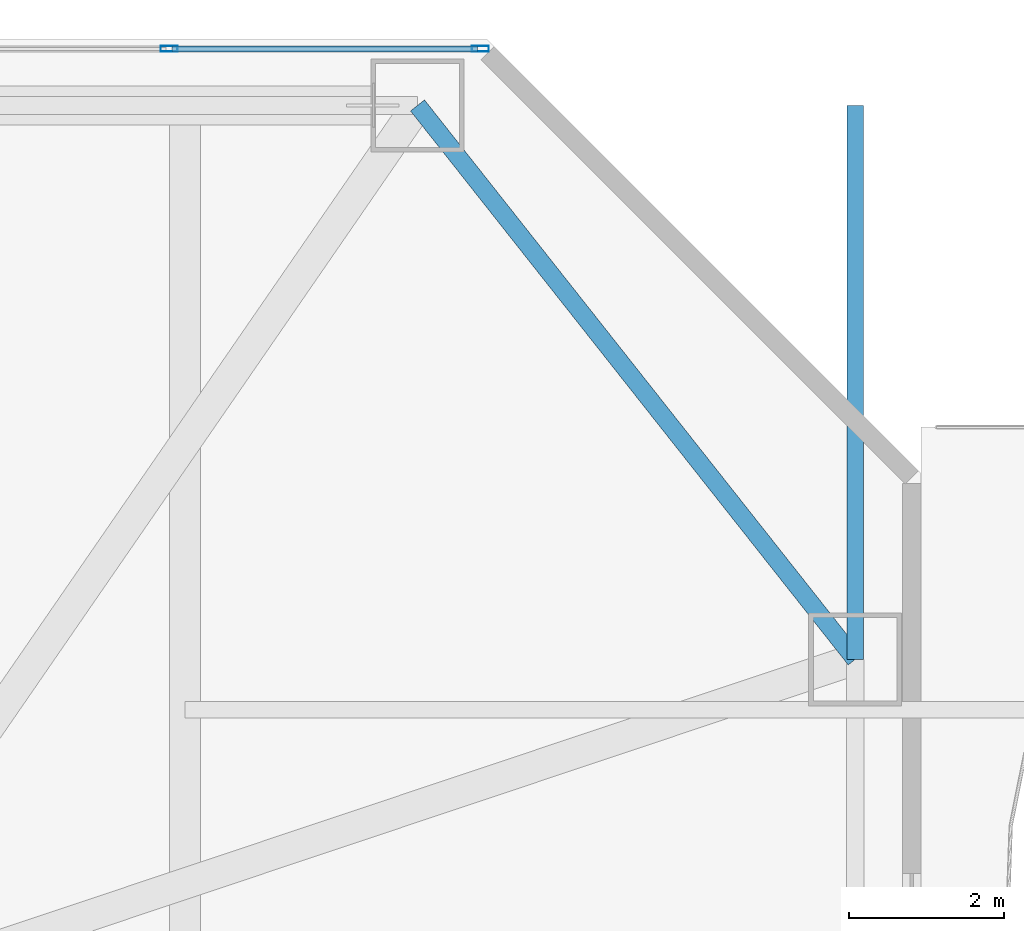
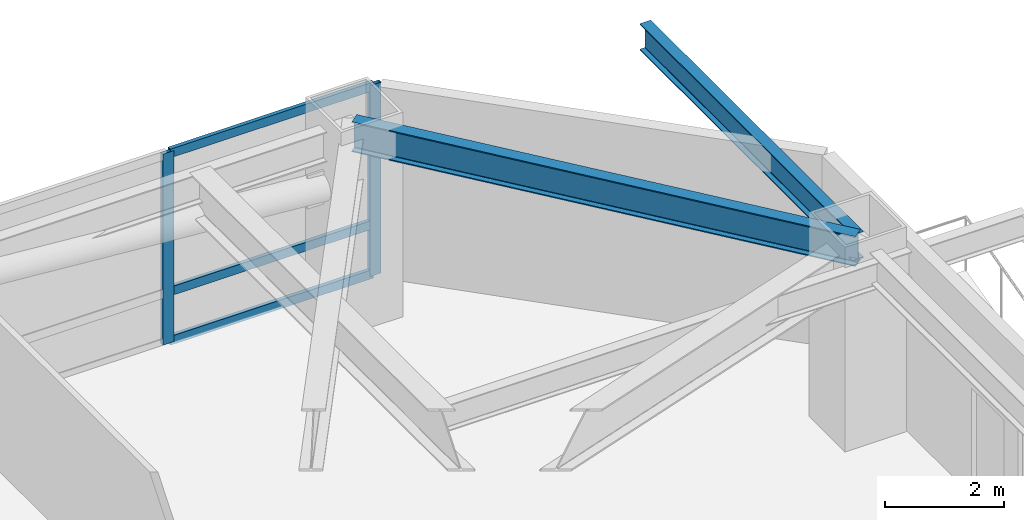
# One storey, part 8 of 25: 5 members, 2 beams, 1 element without a shape of its own.
"""IFC4 building model written with IfcOpenShell, lengths in metres."""

from ifc_helpers import new_model, si_unit, direction, frame, origin, origin_2d, place, context, subcontext, project, spatial, hollow_rectangle, i_section, extrude, material, material_profile, profile_set, type_object, element, aggregate, save


model = new_model("IFC4")

# Units and contexts
model_context = context("Model", 3, precision=1e-05, world=origin(), true_north=direction((0.0, 1.0)))
body_context = subcontext(model_context, "Body", "Model", "MODEL_VIEW")
ifc_project = project(units=[si_unit("LENGTHUNIT", "METRE"), si_unit("AREAUNIT", "SQUARE_METRE"), si_unit("VOLUMEUNIT", "CUBIC_METRE"), si_unit("PLANEANGLEUNIT", "RADIAN"), si_unit("MASSUNIT", "GRAM", prefix="KILO")], contexts=[model_context])

# Site, building, storey
site_placement = place(None, origin())
site = spatial("IfcSite", under=ifc_project, at=site_placement, CompositionType="ELEMENT")
building_placement = place(site_placement, origin())
building = spatial("IfcBuilding", under=site, at=building_placement, Name="Khamvora Tower", CompositionType="ELEMENT")
storey_placement = place(building_placement, frame((0.0, 0.0, 16.199951171875)))
storey = spatial("IfcBuildingStorey", under=building, at=storey_placement, Name="L03", CompositionType="ELEMENT", Elevation=16.199951171875)

# Beams
ifc_material_1 = material(Name="Steel S355", Category="steel")
ifc_material_profile_1 = material_profile(ifc_material_1, i_section(OverallWidth=0.2119140625, OverallDepth=0.5439453125, WebThickness=0.012939453125, FlangeThickness=0.02099609375, FilletRadius=0.013916015625, at=origin_2d()), Name="W530x123")
ifc_profile_set_1 = profile_set([ifc_material_profile_1], Name="Steel S355")
beam_type_1 = type_object("IfcBeamType", Name="BM-SP-W530x123", PredefinedType="SPANDREL", material=ifc_profile_set_1)
beam_1_placement = place(storey_placement, frame((55.14990234375, 48.0, 3.64794921875), z_axis=(0.0, 1.0, 0.0), x_axis=(-1.0, 0.0, 0.0)))
element("IfcBeam", 1, at=beam_1_placement, inside=storey, type_object=beam_type_1, Name="L03 E perimeter edge spandrel 5", PredefinedType="SPANDREL", context=body_context, shape_type="SweptSolid", body=[
    extrude(i_section(OverallWidth=0.2119140625, OverallDepth=0.5439453125, WebThickness=0.012939453125, FlangeThickness=0.02099609375, FilletRadius=0.013916015625, at=origin_2d()), origin(), (0.0, 0.0, 1.0), 7.14990234375),
])
ifc_material_profile_2 = material_profile(ifc_material_1, i_section(OverallWidth=0.22998046875, OverallDepth=0.616943359375, WebThickness=0.012939453125, FlangeThickness=0.02197265625, FilletRadius=0.013916015625, at=origin_2d()), Name="W610x140")
ifc_profile_set_2 = profile_set([ifc_material_profile_2], Name="Steel S355")
beam_type_2 = type_object("IfcBeamType", Name="BM-SP-W610x140", PredefinedType="SPANDREL", material=ifc_profile_set_2)
beam_2_placement = place(storey_placement, frame((55.14990234375, 48.0, 3.612060546875), z_axis=(-0.619998635429, 0.784602888133, 0.0), x_axis=(-0.784602888133, -0.619998635429, 0.0)))
element("IfcBeam", 2, at=beam_2_placement, inside=storey, type_object=beam_type_2, Name="L03 perimeter spandrel beam P16-P08", PredefinedType="SPANDREL", context=body_context, shape_type="SweptSolid", body=[
    extrude(i_section(OverallWidth=0.22998046875, OverallDepth=0.616943359375, WebThickness=0.012939453125, FlangeThickness=0.02197265625, FilletRadius=0.013916015625, at=origin_2d()), origin(), (0.0, 0.0, 1.0), 9.11279296875),
])

# Curtain wall, members
ifc_material_2 = material(Name="Anodised Aluminium 6063-T6", Category="aluminium")
curtain_wall_type = type_object("IfcCurtainWallType", Name="CW-SYS-01", PredefinedType="NOTDEFINED", material=ifc_material_2)
curtain_wall_placement = place(storey_placement, origin())
curtain_wall = element("IfcCurtainWall", 3, at=curtain_wall_placement, inside=storey, type_object=curtain_wall_type, Name="L03 stick curtain wall 07.1", PredefinedType="NOTDEFINED")
ifc_material_profile_3 = material_profile(ifc_material_2, hollow_rectangle(XDim=0.074951171875, YDim=0.219970703125, WallThickness=0.0048828125, at=origin_2d()), Name="MUL75x220x5")
ifc_profile_set_3 = profile_set([ifc_material_profile_3], Name="Anodised Aluminium 6063-T6")
member_type_1 = type_object("IfcMemberType", Name="CW-SYS-01-MUL", PredefinedType="MULLION", material=ifc_profile_set_3)
member_1_placement = place(storey_placement, frame((46.29345703125, 55.8798828125, 0.0), z_axis=(0.0, 0.0, 1.0), x_axis=(0.0, 1.0, 0.0)))
member_1 = element("IfcMember", 4, at=member_1_placement, type_object=member_type_1, Name="CW-01 mullion 11", PredefinedType="MULLION", context=body_context, shape_type="SweptSolid", body=[
    extrude(hollow_rectangle(XDim=0.074951171875, YDim=0.219970703125, WallThickness=0.0048828125, at=origin_2d()), origin(), (0.0, 0.0, 1.0), 3.920166015625),
])
member_2_placement = place(storey_placement, frame((50.3125, 55.8798828125, 0.0), z_axis=(0.0, 0.0, 1.0), x_axis=(0.0, 1.0, 0.0)))
member_2 = element("IfcMember", 5, at=member_2_placement, type_object=member_type_1, Name="CW-01 mullion 12", PredefinedType="MULLION", context=body_context, shape_type="SweptSolid", body=[
    extrude(hollow_rectangle(XDim=0.074951171875, YDim=0.219970703125, WallThickness=0.0048828125, at=origin_2d()), origin(), (0.0, 0.0, 1.0), 3.920166015625),
])
ifc_material_profile_4 = material_profile(ifc_material_2, hollow_rectangle(XDim=0.074951171875, YDim=0.179931640625, WallThickness=0.0048828125, at=origin_2d()), Name="TRN75x180x5")
ifc_profile_set_4 = profile_set([ifc_material_profile_4], Name="Anodised Aluminium 6063-T6")
member_type_2 = type_object("IfcMemberType", Name="CW-SYS-01-TRN", PredefinedType="USERDEFINED", material=ifc_profile_set_4)
member_3_placement = place(storey_placement, frame((46.330810546875, 55.8798828125, 0.03759765625), z_axis=(1.0, 0.0, 0.0), x_axis=(0.0, 1.0, 0.0)))
member_3 = element("IfcMember", 6, at=member_3_placement, type_object=member_type_2, Name="CW-01 transom 11.1", ObjectType="TRANSOM", PredefinedType="USERDEFINED", context=body_context, shape_type="SweptSolid", body=[
    extrude(hollow_rectangle(XDim=0.074951171875, YDim=0.179931640625, WallThickness=0.0048828125, at=origin_2d()), origin(), (0.0, 0.0, 1.0), 3.944091796875),
])
member_4_placement = place(storey_placement, frame((46.330810546875, 55.8798828125, 1.050048828125), z_axis=(1.0, 0.0, 0.0), x_axis=(0.0, 1.0, 0.0)))
member_4 = element("IfcMember", 7, at=member_4_placement, type_object=member_type_2, Name="CW-01 transom 11.2", ObjectType="TRANSOM", PredefinedType="USERDEFINED", context=body_context, shape_type="SweptSolid", body=[
    extrude(hollow_rectangle(XDim=0.074951171875, YDim=0.179931640625, WallThickness=0.0048828125, at=origin_2d()), origin(), (0.0, 0.0, 1.0), 3.944091796875),
])
member_5_placement = place(storey_placement, frame((46.330810546875, 55.8798828125, 3.882568359375), z_axis=(1.0, 0.0, 0.0), x_axis=(0.0, 1.0, 0.0)))
member_5 = element("IfcMember", 8, at=member_5_placement, type_object=member_type_2, Name="CW-01 transom 11.3", ObjectType="TRANSOM", PredefinedType="USERDEFINED", context=body_context, shape_type="SweptSolid", body=[
    extrude(hollow_rectangle(XDim=0.074951171875, YDim=0.179931640625, WallThickness=0.0048828125, at=origin_2d()), origin(), (0.0, 0.0, 1.0), 3.944091796875),
])
aggregate(curtain_wall, [member_1, member_2, member_3, member_4, member_5])

save(model, "model.ifc")
